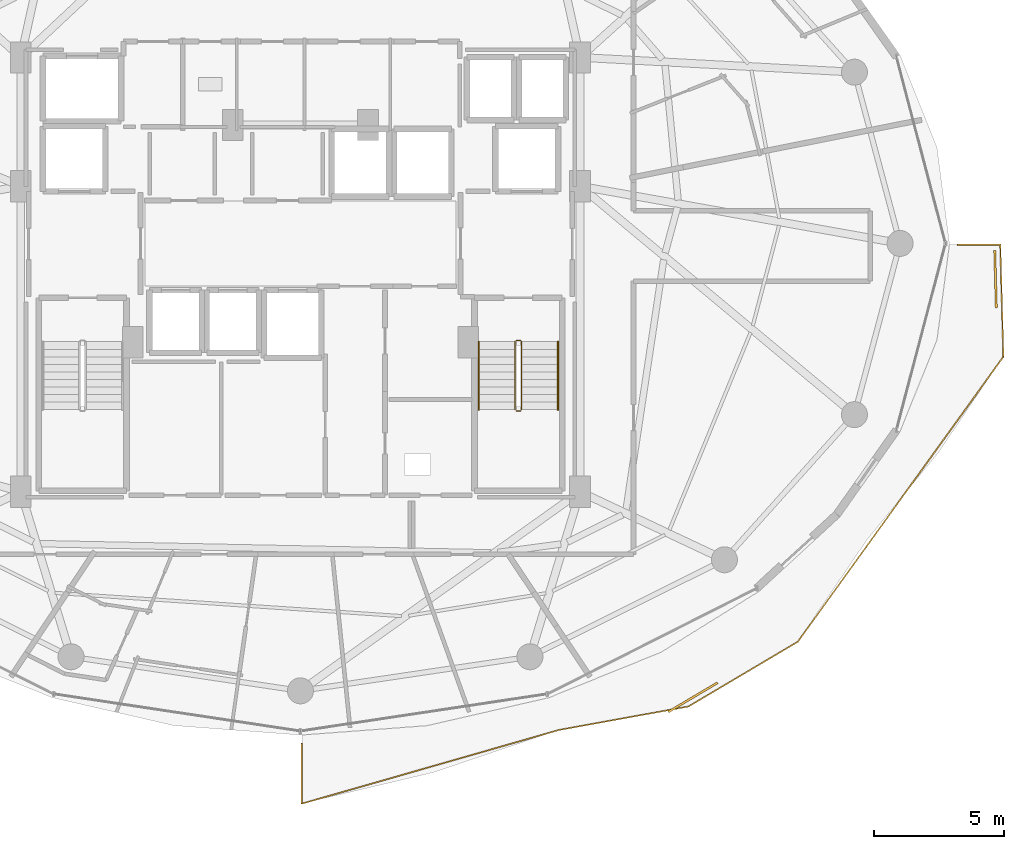
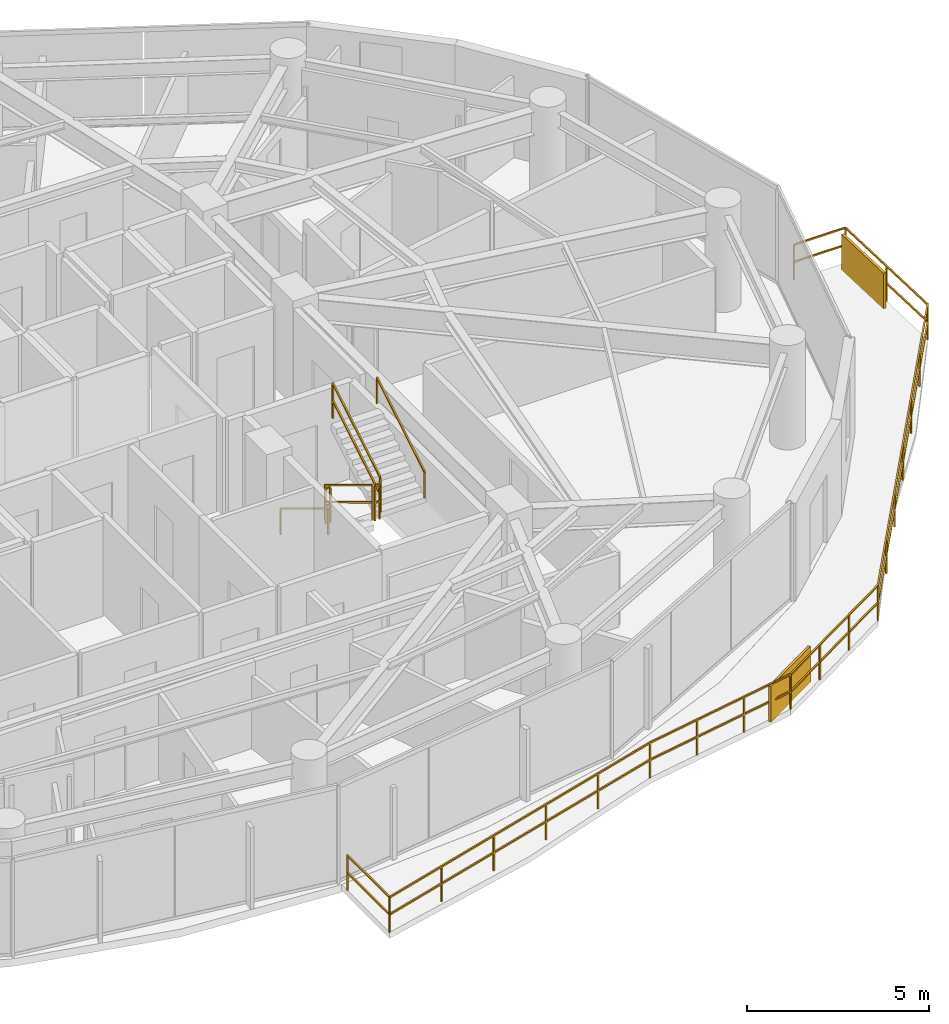
# One storey, part 28 of 30: 8 railings, 2 shading devices.
"""IFC4 building model written with IfcOpenShell, lengths in metres."""

from ifc_helpers import new_model, si_unit, direction, frame, origin, origin_2d, place, context, subcontext, project, spatial, rectangle, extrude, material, type_object, element, save


model = new_model("IFC4")

# Units and contexts
model_context = context("Model", 3, precision=1e-05, world=origin(), true_north=direction((0.0, 1.0)))
body_context = subcontext(model_context, "Body", "Model", "MODEL_VIEW")
ifc_project = project(units=[si_unit("LENGTHUNIT", "METRE"), si_unit("AREAUNIT", "SQUARE_METRE"), si_unit("VOLUMEUNIT", "CUBIC_METRE"), si_unit("PLANEANGLEUNIT", "RADIAN"), si_unit("MASSUNIT", "GRAM", prefix="KILO")], contexts=[model_context])

# Site, building, storey
site_placement = place(None, origin())
site = spatial("IfcSite", under=ifc_project, at=site_placement, CompositionType="ELEMENT")
building_placement = place(site_placement, origin())
building = spatial("IfcBuilding", under=site, at=building_placement, Name="Vorneva Point Tower", CompositionType="ELEMENT")
storey_placement = place(building_placement, frame((0.0, 0.0, 157.10009765625)))
storey = spatial("IfcBuildingStorey", under=building, at=storey_placement, Name="L42", CompositionType="ELEMENT", Elevation=157.10009765625)

# Railings
ifc_material_1 = material(Name="Pale anodised aluminium", Category="aluminium")
railing_type_1 = type_object("IfcRailingType", Name="RL-BAL-1200", PredefinedType="BALUSTRADE", material=ifc_material_1)
railing_1_placement = place(storey_placement, frame((65.020751953125, 21.643310546875, 0.0)))
element("IfcRailing", 1, at=railing_1_placement, inside=storey, type_object=railing_type_1, Name="L42 Wave Balcony Balustrade SE.1", PredefinedType="BALUSTRADE", context=body_context, shape_type="SweptSolid", body=[
    extrude(rectangle(XDim=0.048095703125, YDim=0.048095703125, at=origin_2d()), frame((0.0, 0.0, 1.17578125), z_axis=(-0.027710443314, 0.999615991935, 0.0), x_axis=(-0.999615991935, -0.027710443314, 0.0)), (0.0, 0.0, 1.0), 4.308349609375),
    extrude(rectangle(XDim=0.048095703125, YDim=0.048095703125, at=origin_2d()), frame((0.0, 0.0, 0.60009765625), z_axis=(-0.027710443314, 0.999615991935, 0.0), x_axis=(-0.999615991935, -0.027710443314, 0.0)), (0.0, 0.0, 1.0), 4.308349609375),
    extrude(rectangle(XDim=0.048095703125, YDim=0.048095703125, at=origin_2d()), frame((-0.119384765625, 4.306640625, 1.17578125), z_axis=(-1.0, 0.0, 0.0), x_axis=(0.0, -1.0, 0.0)), (0.0, 0.0, 1.0), 1.63525390625),
    extrude(rectangle(XDim=0.048095703125, YDim=0.048095703125, at=origin_2d()), frame((-0.119384765625, 4.306640625, 0.60009765625), z_axis=(-1.0, 0.0, 0.0), x_axis=(0.0, -1.0, 0.0)), (0.0, 0.0, 1.0), 1.63525390625),
    extrude(rectangle(XDim=0.0419921875, YDim=0.0419921875, at=origin_2d()), origin(), (0.0, 0.0, 1.0), 1.15185546875),
    extrude(rectangle(XDim=0.0419921875, YDim=0.0419921875, at=origin_2d()), frame((-0.0595703125, 2.1533203125, 0.0)), (0.0, 0.0, 1.0), 1.15185546875),
    extrude(rectangle(XDim=0.0419921875, YDim=0.0419921875, at=origin_2d()), frame((-0.119384765625, 4.306640625, 0.0)), (0.0, 0.0, 1.0), 1.15185546875),
    extrude(rectangle(XDim=0.0419921875, YDim=0.0419921875, at=origin_2d()), frame((-1.754638671875, 4.306640625, 0.0)), (0.0, 0.0, 1.0), 1.15185546875),
])
railing_2_placement = place(storey_placement, frame((38.050048828125, 6.78271484375, 0.0)))
element("IfcRailing", 2, at=railing_2_placement, inside=storey, type_object=railing_type_1, Name="L42 Wave Balcony Balustrade SE.2", PredefinedType="BALUSTRADE", context=body_context, shape_type="SweptSolid", body=[
    extrude(rectangle(XDim=0.048095703125, YDim=0.048095703125, at=origin_2d()), frame((0.0, 0.0, 1.17578125), z_axis=(0.0, -1.0, 0.0), x_axis=(1.0, 0.0, 0.0)), (0.0, 0.0, 1.0), 2.32080078125),
    extrude(rectangle(XDim=0.048095703125, YDim=0.048095703125, at=origin_2d()), frame((0.0, 0.0, 0.60009765625), z_axis=(0.0, -1.0, 0.0), x_axis=(1.0, 0.0, 0.0)), (0.0, 0.0, 1.0), 2.32080078125),
    extrude(rectangle(XDim=0.048095703125, YDim=0.048095703125, at=origin_2d()), frame((0.0, -2.32080078125, 1.17578125), z_axis=(0.961314976181, 0.275451477706, 0.0), x_axis=(-0.275451477706, 0.961314976181, 0.0)), (0.0, 0.0, 1.0), 10.285888671875),
    extrude(rectangle(XDim=0.048095703125, YDim=0.048095703125, at=origin_2d()), frame((0.0, -2.32080078125, 0.60009765625), z_axis=(0.961314976181, 0.275451477706, 0.0), x_axis=(-0.275451477706, 0.961314976181, 0.0)), (0.0, 0.0, 1.0), 10.285888671875),
    extrude(rectangle(XDim=0.048095703125, YDim=0.048095703125, at=origin_2d()), frame((9.887939453125, 0.512451171875, 1.17578125), z_axis=(0.983942381483, 0.178486385816, 0.0), x_axis=(-0.178486385816, 0.983942381483, 0.0)), (0.0, 0.0, 1.0), 5.06103515625),
    extrude(rectangle(XDim=0.048095703125, YDim=0.048095703125, at=origin_2d()), frame((9.887939453125, 0.512451171875, 0.60009765625), z_axis=(0.983942381483, 0.178486385816, 0.0), x_axis=(-0.178486385816, 0.983942381483, 0.0)), (0.0, 0.0, 1.0), 5.06103515625),
    extrude(rectangle(XDim=0.048095703125, YDim=0.048095703125, at=origin_2d()), frame((14.86767578125, 1.415771484375, 1.17578125), z_axis=(0.860395480632, 0.509626938955, 0.0), x_axis=(-0.509626938955, 0.860395480632, 0.0)), (0.0, 0.0, 1.0), 4.882568359375),
    extrude(rectangle(XDim=0.048095703125, YDim=0.048095703125, at=origin_2d()), frame((14.86767578125, 1.415771484375, 0.60009765625), z_axis=(0.860395480632, 0.509626938955, 0.0), x_axis=(-0.509626938955, 0.860395480632, 0.0)), (0.0, 0.0, 1.0), 4.882568359375),
    extrude(rectangle(XDim=0.048095703125, YDim=0.048095703125, at=origin_2d()), frame((19.068603515625, 3.904052734375, 1.17578125), z_axis=(0.584957265897, 0.811064114034, 0.0), x_axis=(-0.811064114034, 0.584957265897, 0.0)), (0.0, 0.0, 1.0), 13.5087890625),
    extrude(rectangle(XDim=0.048095703125, YDim=0.048095703125, at=origin_2d()), frame((19.068603515625, 3.904052734375, 0.60009765625), z_axis=(0.584957265897, 0.811064114034, 0.0), x_axis=(-0.811064114034, 0.584957265897, 0.0)), (0.0, 0.0, 1.0), 13.5087890625),
    extrude(rectangle(XDim=0.0419921875, YDim=0.0419921875, at=origin_2d()), origin(), (0.0, 0.0, 1.0), 1.15185546875),
    extrude(rectangle(XDim=0.0419921875, YDim=0.0419921875, at=origin_2d()), frame((0.0, -2.32080078125, 0.0)), (0.0, 0.0, 1.0), 1.15185546875),
    extrude(rectangle(XDim=0.0419921875, YDim=0.0419921875, at=origin_2d()), frame((1.9775390625, -1.754150390625, 0.0)), (0.0, 0.0, 1.0), 1.15185546875),
    extrude(rectangle(XDim=0.0419921875, YDim=0.0419921875, at=origin_2d()), frame((3.955078125, -1.1875, 0.0)), (0.0, 0.0, 1.0), 1.15185546875),
    extrude(rectangle(XDim=0.0419921875, YDim=0.0419921875, at=origin_2d()), frame((5.932861328125, -0.620849609375, 0.0)), (0.0, 0.0, 1.0), 1.15185546875),
    extrude(rectangle(XDim=0.0419921875, YDim=0.0419921875, at=origin_2d()), frame((7.910400390625, -0.05419921875, 0.0)), (0.0, 0.0, 1.0), 1.15185546875),
    extrude(rectangle(XDim=0.0419921875, YDim=0.0419921875, at=origin_2d()), frame((9.887939453125, 0.512451171875, 0.0)), (0.0, 0.0, 1.0), 1.15185546875),
    extrude(rectangle(XDim=0.0419921875, YDim=0.0419921875, at=origin_2d()), frame((11.5478515625, 0.8134765625, 0.0)), (0.0, 0.0, 1.0), 1.15185546875),
    extrude(rectangle(XDim=0.0419921875, YDim=0.0419921875, at=origin_2d()), frame((13.207763671875, 1.11474609375, 0.0)), (0.0, 0.0, 1.0), 1.15185546875),
    extrude(rectangle(XDim=0.0419921875, YDim=0.0419921875, at=origin_2d()), frame((14.86767578125, 1.415771484375, 0.0)), (0.0, 0.0, 1.0), 1.15185546875),
    extrude(rectangle(XDim=0.0419921875, YDim=0.0419921875, at=origin_2d()), frame((16.26806640625, 2.2451171875, 0.0)), (0.0, 0.0, 1.0), 1.15185546875),
    extrude(rectangle(XDim=0.0419921875, YDim=0.0419921875, at=origin_2d()), frame((17.668212890625, 3.07470703125, 0.0)), (0.0, 0.0, 1.0), 1.15185546875),
    extrude(rectangle(XDim=0.0419921875, YDim=0.0419921875, at=origin_2d()), frame((19.068603515625, 3.904052734375, 0.0)), (0.0, 0.0, 1.0), 1.15185546875),
    extrude(rectangle(XDim=0.0419921875, YDim=0.0419921875, at=origin_2d()), frame((20.3857421875, 5.730224609375, 0.0)), (0.0, 0.0, 1.0), 1.15185546875),
    extrude(rectangle(XDim=0.0419921875, YDim=0.0419921875, at=origin_2d()), frame((21.70263671875, 7.55615234375, 0.0)), (0.0, 0.0, 1.0), 1.15185546875),
    extrude(rectangle(XDim=0.0419921875, YDim=0.0419921875, at=origin_2d()), frame((23.01953125, 9.38232421875, 0.0)), (0.0, 0.0, 1.0), 1.15185546875),
    extrude(rectangle(XDim=0.0419921875, YDim=0.0419921875, at=origin_2d()), frame((24.336669921875, 11.20849609375, 0.0)), (0.0, 0.0, 1.0), 1.15185546875),
    extrude(rectangle(XDim=0.0419921875, YDim=0.0419921875, at=origin_2d()), frame((25.65380859375, 13.034423828125, 0.0)), (0.0, 0.0, 1.0), 1.15185546875),
    extrude(rectangle(XDim=0.0419921875, YDim=0.0419921875, at=origin_2d()), frame((26.970703125, 14.860595703125, 0.0)), (0.0, 0.0, 1.0), 1.15185546875),
])
ifc_material_2 = material(Name="Brushed stainless steel S304", Category="steel")
railing_type_2 = type_object("IfcRailingType", Name="RL-HND-920", PredefinedType="HANDRAIL", material=ifc_material_2)
railing_3_placement = place(storey_placement, frame((44.85009765625, 22.219970703125, 0.1748046875)))
element("IfcRailing", 3, at=railing_3_placement, inside=storey, type_object=railing_type_2, Name="L42 ST2 stair handrail 1", PredefinedType="HANDRAIL", context=body_context, shape_type="SweptSolid", body=[
    extrude(rectangle(XDim=0.048095703125, YDim=0.048095703125, at=origin_2d()), frame((0.0, 0.0, 0.8759765625), z_axis=(0.0, -0.856147343639, 0.516731773728), x_axis=(1.0, 0.0, 0.0)), (0.0, 0.0, 1.0), 3.04833984375),
    extrude(rectangle(XDim=0.0419921875, YDim=0.0419921875, at=origin_2d()), origin(), (0.0, 0.0, 1.0), 0.851806640625),
    extrude(rectangle(XDim=0.0419921875, YDim=0.0419921875, at=origin_2d()), frame((0.0, -2.60986328125, 1.5751953125)), (0.0, 0.0, 1.0), 0.851806640625),
])
railing_4_placement = place(storey_placement, frame((47.89990234375, 19.610107421875, 1.9248046875)))
element("IfcRailing", 4, at=railing_4_placement, inside=storey, type_object=railing_type_2, Name="L42 ST2 stair handrail 2", PredefinedType="HANDRAIL", context=body_context, shape_type="SweptSolid", body=[
    extrude(rectangle(XDim=0.048095703125, YDim=0.048095703125, at=origin_2d()), frame((0.0, 0.0, 0.8759765625), z_axis=(0.0, 0.856147343639, 0.516731773728), x_axis=(-1.0, 0.0, 0.0)), (0.0, 0.0, 1.0), 3.04833984375),
    extrude(rectangle(XDim=0.0419921875, YDim=0.0419921875, at=origin_2d()), origin(), (0.0, 0.0, 1.0), 0.851806640625),
    extrude(rectangle(XDim=0.0419921875, YDim=0.0419921875, at=origin_2d()), frame((0.0, 2.60986328125, 1.5751953125)), (0.0, 0.0, 1.0), 0.851806640625),
])
railing_type_3 = type_object("IfcRailingType", Name="RL-STG-1100", PredefinedType="GUARDRAIL", material=ifc_material_2)
railing_5_placement = place(storey_placement, frame((46.25, 22.219970703125, 0.1748046875)))
element("IfcRailing", 5, at=railing_5_placement, inside=storey, type_object=railing_type_3, Name="L42 ST2 stair guard 1", PredefinedType="GUARDRAIL", context=body_context, shape_type="SweptSolid", body=[
    extrude(rectangle(XDim=0.048095703125, YDim=0.048095703125, at=origin_2d()), frame((0.0, 0.0, 1.17578125), z_axis=(0.0, -0.856147343639, 0.516731773728), x_axis=(1.0, 0.0, 0.0)), (0.0, 0.0, 1.0), 3.04833984375),
    extrude(rectangle(XDim=0.048095703125, YDim=0.048095703125, at=origin_2d()), frame((0.0, 0.0, 0.60009765625), z_axis=(0.0, -0.856147343639, 0.516731773728), x_axis=(1.0, 0.0, 0.0)), (0.0, 0.0, 1.0), 3.04833984375),
    extrude(rectangle(XDim=0.0419921875, YDim=0.0419921875, at=origin_2d()), origin(), (0.0, 0.0, 1.0), 1.15185546875),
    extrude(rectangle(XDim=0.0419921875, YDim=0.0419921875, at=origin_2d()), frame((0.0, -2.60986328125, 1.5751953125)), (0.0, 0.0, 1.0), 1.15185546875),
])
railing_6_placement = place(storey_placement, frame((46.300048828125, 19.56005859375, 1.75)))
element("IfcRailing", 6, at=railing_6_placement, inside=storey, type_object=railing_type_3, Name="L42 ST2 stair guard 2", PredefinedType="GUARDRAIL", context=body_context, shape_type="SweptSolid", body=[
    extrude(rectangle(XDim=0.048095703125, YDim=0.048095703125, at=origin_2d()), frame((0.0, 0.0, 1.17578125), z_axis=(1.0, 0.0, 0.0), x_axis=(0.0, 1.0, 0.0)), (0.0, 0.0, 1.0), 0.14990234375),
    extrude(rectangle(XDim=0.048095703125, YDim=0.048095703125, at=origin_2d()), frame((0.0, 0.0, 0.60009765625), z_axis=(1.0, 0.0, 0.0), x_axis=(0.0, 1.0, 0.0)), (0.0, 0.0, 1.0), 0.14990234375),
    extrude(rectangle(XDim=0.0419921875, YDim=0.0419921875, at=origin_2d()), origin(), (0.0, 0.0, 1.0), 1.15185546875),
    extrude(rectangle(XDim=0.0419921875, YDim=0.0419921875, at=origin_2d()), frame((0.14990234375, 0.0, 0.0)), (0.0, 0.0, 1.0), 1.15185546875),
])
railing_7_placement = place(storey_placement, frame((46.5, 19.610107421875, 1.9248046875)))
element("IfcRailing", 7, at=railing_7_placement, inside=storey, type_object=railing_type_3, Name="L42 ST2 stair guard 3", PredefinedType="GUARDRAIL", context=body_context, shape_type="SweptSolid", body=[
    extrude(rectangle(XDim=0.048095703125, YDim=0.048095703125, at=origin_2d()), frame((0.0, 0.0, 1.17578125), z_axis=(0.0, 0.856147343639, 0.516731773728), x_axis=(-1.0, 0.0, 0.0)), (0.0, 0.0, 1.0), 3.04833984375),
    extrude(rectangle(XDim=0.048095703125, YDim=0.048095703125, at=origin_2d()), frame((0.0, 0.0, 0.60009765625), z_axis=(0.0, 0.856147343639, 0.516731773728), x_axis=(-1.0, 0.0, 0.0)), (0.0, 0.0, 1.0), 3.04833984375),
    extrude(rectangle(XDim=0.0419921875, YDim=0.0419921875, at=origin_2d()), origin(), (0.0, 0.0, 1.0), 1.15185546875),
    extrude(rectangle(XDim=0.0419921875, YDim=0.0419921875, at=origin_2d()), frame((0.0, 2.60986328125, 1.5751953125)), (0.0, 0.0, 1.0), 1.15185546875),
])
railing_8_placement = place(storey_placement, frame((46.300048828125, 22.27001953125, 0.0)))
element("IfcRailing", 8, at=railing_8_placement, inside=storey, type_object=railing_type_3, Name="L42 ST2 stair guard 4", PredefinedType="GUARDRAIL", context=body_context, shape_type="SweptSolid", body=[
    extrude(rectangle(XDim=0.048095703125, YDim=0.048095703125, at=origin_2d()), frame((0.0, 0.0, 1.17578125), z_axis=(1.0, 0.0, 0.0), x_axis=(0.0, 1.0, 0.0)), (0.0, 0.0, 1.0), 0.14990234375),
    extrude(rectangle(XDim=0.048095703125, YDim=0.048095703125, at=origin_2d()), frame((0.0, 0.0, 0.60009765625), z_axis=(1.0, 0.0, 0.0), x_axis=(0.0, 1.0, 0.0)), (0.0, 0.0, 1.0), 0.14990234375),
    extrude(rectangle(XDim=0.0419921875, YDim=0.0419921875, at=origin_2d()), origin(), (0.0, 0.0, 1.0), 1.15185546875),
    extrude(rectangle(XDim=0.0419921875, YDim=0.0419921875, at=origin_2d()), frame((0.14990234375, 0.0, 0.0)), (0.0, 0.0, 1.0), 1.15185546875),
])

# Shading devices
shading_device_type = type_object("IfcShadingDeviceType", Name="SHD-JAL-1200", PredefinedType="JALOUSIE", material=ifc_material_1)
for number, where, z_axis, x_axis, name in (
    (9, (64.71875, 24.625244140625, -0.02001953125), (0.0, 0.0, 1.0), (-0.027694833666, 0.999616424529, 0.0), "L42 Balcony Vertical-Greenery Planter Screen SE.1"),
    (10, (53.08544921875, 8.54931640625, -0.02001953125), (0.0, 0.0, 1.0), (0.860386439326, 0.509642202947, 0.0), "L42 Balcony Vertical-Greenery Planter Screen SE.2"),
):
    element("IfcShadingDevice", number, at=place(storey_placement, frame(where, z_axis=z_axis, x_axis=x_axis)), inside=storey, type_object=shading_device_type, Name=name, PredefinedType="JALOUSIE", context=body_context, shape_type="SweptSolid", body=[
        extrude(rectangle(XDim=2.199951171875, YDim=0.080078125, at=origin_2d()), origin(), (0.0, 0.0, 1.0), 1.199951171875),
    ])

save(model, "model.ifc")
